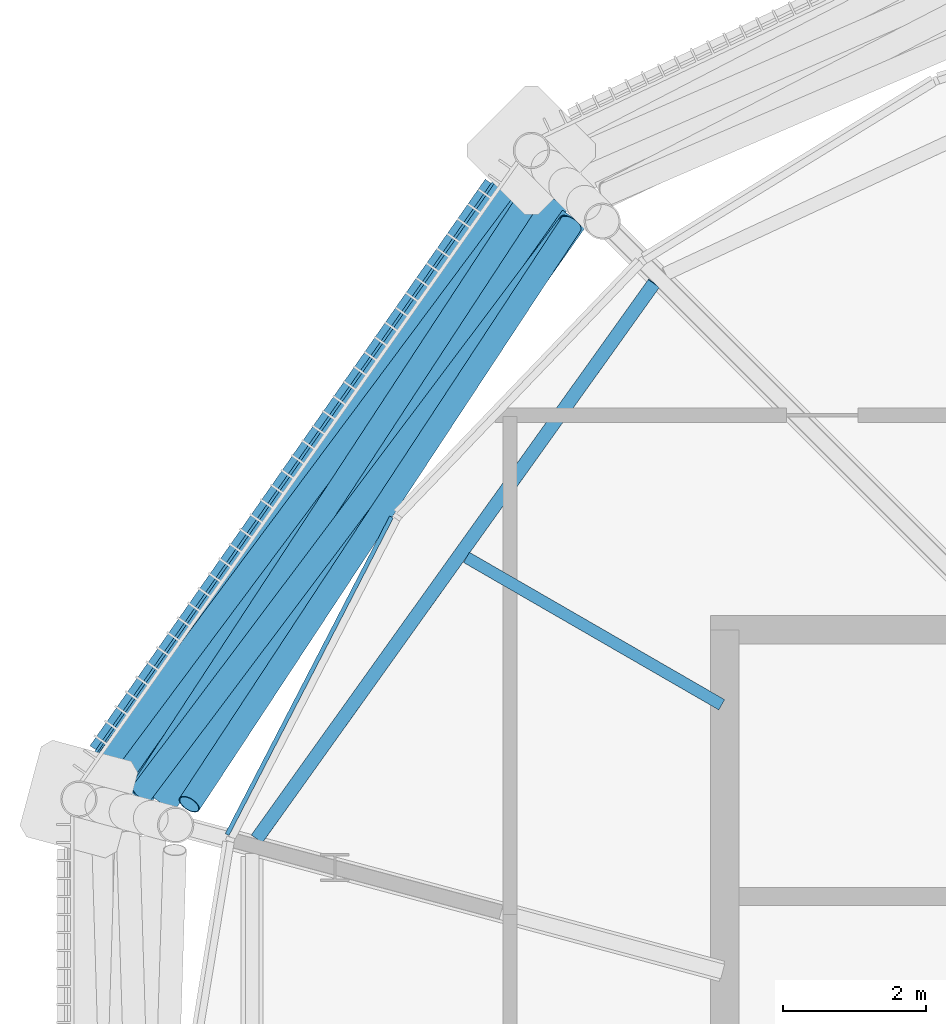
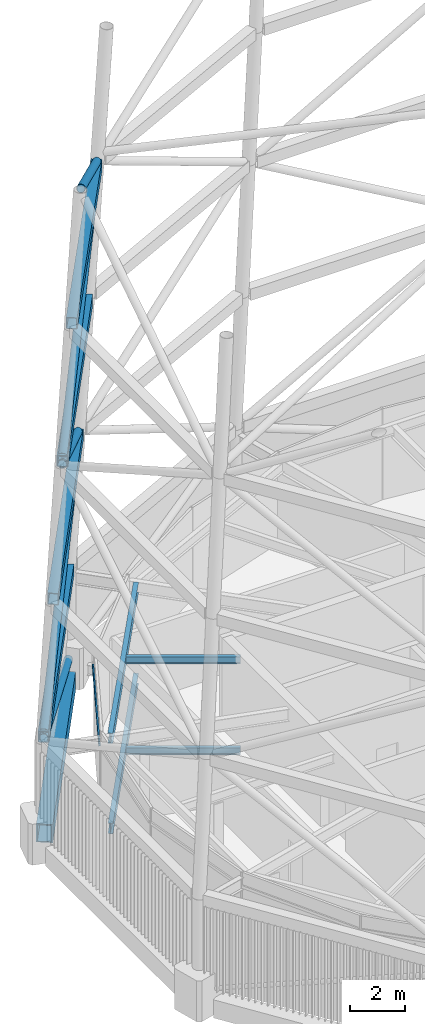
# One storey, part 16 of 71: 9 beams, 6 members, 1 element without a shape of its own.
"""IFC4 building model written with IfcOpenShell, lengths in metres."""

from ifc_helpers import new_model, si_unit, direction, frame, origin, origin_2d, place, context, subcontext, project, spatial, rectangle, hollow_rectangle, hollow_circle, i_section, extrude, material, material_profile, profile_set, type_object, element, aggregate, save


model = new_model("IFC4")

# Units and contexts
model_context = context("Model", 3, precision=1e-05, world=origin(), true_north=direction((0.0, 1.0)))
body_context = subcontext(model_context, "Body", "Model", "MODEL_VIEW")
ifc_project = project(units=[si_unit("LENGTHUNIT", "METRE"), si_unit("AREAUNIT", "SQUARE_METRE"), si_unit("VOLUMEUNIT", "CUBIC_METRE"), si_unit("PLANEANGLEUNIT", "RADIAN"), si_unit("MASSUNIT", "GRAM", prefix="KILO")], contexts=[model_context])

# Site, building, storey
site_placement = place(None, origin())
site = spatial("IfcSite", under=ifc_project, at=site_placement, CompositionType="ELEMENT")
building_placement = place(site_placement, origin())
building = spatial("IfcBuilding", under=site, at=building_placement, Name="Rimbun Link Towers", CompositionType="ELEMENT")
storey_placement = place(building_placement, frame((0.0, 0.0, 267.60009765625)))
storey = spatial("IfcBuildingStorey", under=building, at=storey_placement, Name="L65", CompositionType="ELEMENT", Elevation=267.60009765625)

# Curtain wall, member
ifc_material_1 = material(Name="Aluminium 6063-T6 louvre wall", Category="aluminium")
curtain_wall_type = type_object("IfcCurtainWallType", Name="CW6 plant floor louvre wall", PredefinedType="NOTDEFINED", material=ifc_material_1)
curtain_wall_placement = place(storey_placement, origin())
curtain_wall = element("IfcCurtainWall", 1, at=curtain_wall_placement, inside=storey, type_object=curtain_wall_type, Name="CW6 L65 T1", PredefinedType="NOTDEFINED")
ifc_material_2 = material(Name="Aluminium 6063-T6", Category="aluminium")
ifc_material_profile_1 = material_profile(ifc_material_2, rectangle(XDim=0.06005859375, YDim=0.1201171875, at=origin_2d()), Name="TRANSOM 60X120")
ifc_profile_set_1 = profile_set([ifc_material_profile_1], Name="Aluminium 6063-T6")
member_type_1 = type_object("IfcMemberType", Name="CW6 transom 60X120", PredefinedType="USERDEFINED", material=ifc_profile_set_1)
member_1_placement = place(storey_placement, frame((-50.705322265625, 5.13818359375, 3.39990234375), z_axis=(0.459541205413, 0.888156450479, 0.0), x_axis=(-0.888156450479, 0.459541205413, 0.0)))
member_1 = element("IfcMember", 2, at=member_1_placement, type_object=member_type_1, Name="CW6 transom", ObjectType="TRANSOM", PredefinedType="USERDEFINED", context=body_context, shape_type="SweptSolid", body=[
    extrude(rectangle(XDim=0.06005859375, YDim=0.1201171875, at=origin_2d()), origin(), (0.0, 0.0, 1.0), 4.9970703125),
])
aggregate(curtain_wall, [member_1])

# Members
ifc_material_3 = material(Name="Steel S355J2H", Category="steel")
ifc_material_profile_2 = material_profile(ifc_material_3, hollow_circle(Radius=0.161865234375, WallThickness=0.011962890625, at=origin_2d()), Name="Crown frame brace CHS 324x12")
ifc_profile_set_2 = profile_set([ifc_material_profile_2], Name="Steel S355J2H")
member_type_2 = type_object("IfcMemberType", Name="Crown frame brace CHS 324x12", PredefinedType="BRACE", material=ifc_profile_set_2)
member_2_placement = place(storey_placement, frame((-46.666259765625, 14.392578125, 0.135986328125), z_axis=(-0.53806035531, -0.771194589931, 0.340220455741), x_axis=(0.820118162204, -0.572194197824, 0.0)))
element("IfcMember", 3, at=member_2_placement, inside=storey, type_object=member_type_2, Name="CROWN FRAME brace T1 1-04", PredefinedType="BRACE", context=body_context, shape_type="SweptSolid", body=[
    extrude(hollow_circle(Radius=0.161865234375, WallThickness=0.011962890625, at=origin_2d()), origin(), (0.0, 0.0, 1.0), 10.95703125),
])
member_3_placement = place(storey_placement, frame((-52.567138671875, 5.915771484375, 4.19140625), z_axis=(0.524618118417, 0.703889527023, 0.478868837549), x_axis=(-0.801800186242, 0.597592219949, 0.0)))
element("IfcMember", 4, at=member_3_placement, inside=storey, type_object=member_type_2, Name="CROWN FRAME brace T1 2-04", PredefinedType="BRACE", context=body_context, shape_type="SweptSolid", body=[
    extrude(hollow_circle(Radius=0.161865234375, WallThickness=0.011962890625, at=origin_2d()), origin(), (0.0, 0.0, 1.0), 11.7294921875),
])
member_4_placement = place(storey_placement, frame((-46.39501953125, 14.161376953125, 10.19482421875), z_axis=(-0.478666992145, -0.730556834472, 0.486995505357), x_axis=(0.836447321938, -0.548047331553, 0.0)))
element("IfcMember", 5, at=member_4_placement, inside=storey, type_object=member_type_2, Name="CROWN FRAME brace T1 3-04", PredefinedType="BRACE", context=body_context, shape_type="SweptSolid", body=[
    extrude(hollow_circle(Radius=0.161865234375, WallThickness=0.011962890625, at=origin_2d()), origin(), (0.0, 0.0, 1.0), 11.520263671875),
])
member_5_placement = place(storey_placement, frame((-51.8916015625, 5.7314453125, 16.1962890625), z_axis=(0.523304623767, 0.696327936105, 0.4912022762), x_axis=(-0.799416228212, 0.600777574541, 0.0)))
element("IfcMember", 6, at=member_5_placement, inside=storey, type_object=member_type_2, Name="CROWN FRAME brace T1 4-04", PredefinedType="BRACE", context=body_context, shape_type="SweptSolid", body=[
    extrude(hollow_circle(Radius=0.161865234375, WallThickness=0.011962890625, at=origin_2d()), origin(), (0.0, 0.0, 1.0), 11.415283203125),
])
member_6_placement = place(storey_placement, frame((-45.89892578125, 13.669189453125, 22.19970703125), z_axis=(-0.476134531922, -0.723548449031, 0.499773498113), x_axis=(0.83535568197, -0.549709818542, 0.0)))
element("IfcMember", 7, at=member_6_placement, inside=storey, type_object=member_type_2, Name="CROWN FRAME brace T1 5-04", PredefinedType="BRACE", context=body_context, shape_type="SweptSolid", body=[
    extrude(hollow_circle(Radius=0.161865234375, WallThickness=0.011962890625, at=origin_2d()), origin(), (0.0, 0.0, 1.0), 11.205810546875),
])

# Beams
ifc_material_4 = material(Name="Steel S355J2", Category="steel")
ifc_material_profile_3 = material_profile(ifc_material_4, hollow_rectangle(XDim=0.39990234375, YDim=0.5, WallThickness=0.02001953125, at=origin_2d()), Name="Crown frame ring beam BOX 400x500x20")
ifc_profile_set_3 = profile_set([ifc_material_profile_3], Name="Steel S355J2")
beam_type_1 = type_object("IfcBeamType", Name="Crown frame ring beam BOX 400x500x20", PredefinedType="BEAM", material=ifc_profile_set_3)
beam_1_placement = place(storey_placement, frame((-46.596435546875, 14.492919921875, 4.0), z_axis=(-0.572181596024, -0.820126954301, 0.0), x_axis=(0.820126954301, -0.572181596024, 0.0)))
element("IfcBeam", 8, at=beam_1_placement, inside=storey, type_object=beam_type_1, Name="CROWN FRAME ring beam T1 1-04", PredefinedType="BEAM", context=body_context, shape_type="SweptSolid", body=[
    extrude(hollow_rectangle(XDim=0.39990234375, YDim=0.5, WallThickness=0.02001953125, at=origin_2d()), origin(), (0.0, 0.0, 1.0), 10.547607421875),
])
beam_2_placement = place(storey_placement, frame((-46.34912109375, 14.24560546875, 10.0), z_axis=(-0.573356446444, -0.819306038865, 0.0), x_axis=(0.819306038865, -0.573356446444, 0.0)))
element("IfcBeam", 9, at=beam_2_placement, inside=storey, type_object=beam_type_1, Name="CROWN FRAME ring beam T1 2-04", PredefinedType="BEAM", context=body_context, shape_type="SweptSolid", body=[
    extrude(hollow_rectangle(XDim=0.39990234375, YDim=0.5, WallThickness=0.02001953125, at=origin_2d()), origin(), (0.0, 0.0, 1.0), 10.3671875),
])
beam_3_placement = place(storey_placement, frame((-46.10205078125, 13.998291015625, 16.0), z_axis=(-0.574571673852, -0.81845426971, 0.0), x_axis=(0.81845426971, -0.574571673852, 0.0)))
element("IfcBeam", 10, at=beam_3_placement, inside=storey, type_object=beam_type_1, Name="CROWN FRAME ring beam T1 3-04", PredefinedType="BEAM", context=body_context, shape_type="SweptSolid", body=[
    extrude(hollow_rectangle(XDim=0.39990234375, YDim=0.5, WallThickness=0.02001953125, at=origin_2d()), origin(), (0.0, 0.0, 1.0), 10.186767578125),
])
beam_4_placement = place(storey_placement, frame((-45.85498046875, 13.7509765625, 22.0), z_axis=(-0.575796767289, -0.817592858811, 0.0), x_axis=(0.817592858811, -0.575796767289, 0.0)))
element("IfcBeam", 11, at=beam_4_placement, inside=storey, type_object=beam_type_1, Name="CROWN FRAME ring beam T1 4-04", PredefinedType="BEAM", context=body_context, shape_type="SweptSolid", body=[
    extrude(hollow_rectangle(XDim=0.39990234375, YDim=0.5, WallThickness=0.02001953125, at=origin_2d()), origin(), (0.0, 0.0, 1.0), 10.006103515625),
])
ifc_material_5 = material(Name="Steel S355J2", Category="steel")
ifc_material_profile_4 = material_profile(ifc_material_5, hollow_rectangle(XDim=0.60009765625, YDim=0.800048828125, WallThickness=0.0400390625, at=origin_2d()), Name="Exoskeleton ring girder BOX 600x800x40")
ifc_profile_set_4 = profile_set([ifc_material_profile_4], Name="Steel S355J2")
beam_type_2 = type_object("IfcBeamType", Name="Exoskeleton ring girder BOX 600x800x40", PredefinedType="BEAM", material=ifc_profile_set_4)
beam_5_placement = place(storey_placement, frame((-46.8515625, 14.126953125, -0.56005859375), z_axis=(-0.57219741623, -0.820115916722, 0.0), x_axis=(0.820115916722, -0.57219741623, 0.0)))
element("IfcBeam", 12, at=beam_5_placement, inside=storey, type_object=beam_type_2, Name="Exoskeleton ring girder L65 04", PredefinedType="BEAM", context=body_context, shape_type="SweptSolid", body=[
    extrude(hollow_rectangle(XDim=0.60009765625, YDim=0.800048828125, WallThickness=0.0400390625, at=origin_2d()), origin(), (0.0, 0.0, 1.0), 9.655517578125),
])
ifc_material_6 = material(Name="Steel S355J2", Category="steel")
ifc_material_profile_5 = material_profile(ifc_material_6, i_section(OverallWidth=0.1650390625, OverallDepth=0.303466796875, WebThickness=0.006103515625, FlangeThickness=0.01025390625, at=origin_2d()), Name="UB 305x165x40")
ifc_profile_set_5 = profile_set([ifc_material_profile_5], Name="Steel S355J2")
beam_type_3 = type_object("IfcBeamType", Name="UB 305x165x40", PredefinedType="BEAM", material=ifc_profile_set_5)
for number, where, z_axis, x_axis, name in (
    (13, (-43.7919921875, 6.952392578125, -0.351806640625), (-0.866009926209, 0.50002680699, 0.0), (-0.50002680699, -0.866009926209, 0.0), "Radial beam T1 L65 10"),
    (14, (-43.7919921875, 6.952392578125, 3.648193359375), (-0.866009926209, 0.50002680699, 0.0), (-0.50002680699, -0.866009926209, 0.0), "Radial beam T1 L65 10"),
):
    element("IfcBeam", number, at=place(storey_placement, frame(where, z_axis=z_axis, x_axis=x_axis)), inside=storey, type_object=beam_type_3, Name=name, PredefinedType="BEAM", context=body_context, shape_type="SweptSolid", body=[
        extrude(i_section(OverallWidth=0.1650390625, OverallDepth=0.303466796875, WebThickness=0.006103515625, FlangeThickness=0.01025390625, at=origin_2d()), origin(), (0.0, 0.0, 1.0), 4.119873046875),
    ])
ifc_material_7 = material(Name="Steel S355J2", Category="steel")
ifc_material_profile_6 = material_profile(ifc_material_7, i_section(OverallWidth=0.18994140625, OverallDepth=0.453369140625, WebThickness=0.008544921875, FlangeThickness=0.0126953125, at=origin_2d()), Name="UB 457x191x67")
ifc_profile_set_6 = profile_set([ifc_material_profile_6], Name="Steel S355J2")
beam_type_4 = type_object("IfcBeamType", Name="UB 457x191x67", PredefinedType="BEAM", material=ifc_profile_set_6)
beam_6_placement = place(storey_placement, frame((-44.73486328125, 12.84912109375, -0.4267578125), z_axis=(-0.58156358037, -0.813500953894, 0.0), x_axis=(0.813500953894, -0.58156358037, 0.0)))
element("IfcBeam", 15, at=beam_6_placement, inside=storey, type_object=beam_type_4, Name="Edge beam T1 L65 09-11", PredefinedType="BEAM", context=body_context, shape_type="SweptSolid", body=[
    extrude(i_section(OverallWidth=0.18994140625, OverallDepth=0.453369140625, WebThickness=0.008544921875, FlangeThickness=0.0126953125, at=origin_2d()), origin(), (0.0, 0.0, 1.0), 9.50927734375),
])
beam_7_placement = place(storey_placement, frame((-44.740478515625, 12.84130859375, 3.5732421875), z_axis=(-0.581576914607, -0.813491421219, 0.0), x_axis=(0.813491421219, -0.581576914607, 0.0)))
element("IfcBeam", 16, at=beam_7_placement, inside=storey, type_object=beam_type_4, Name="Edge beam T1 L65 09-11", PredefinedType="BEAM", context=body_context, shape_type="SweptSolid", body=[
    extrude(i_section(OverallWidth=0.18994140625, OverallDepth=0.453369140625, WebThickness=0.008544921875, FlangeThickness=0.0126953125, at=origin_2d()), origin(), (0.0, 0.0, 1.0), 9.5439453125),
])

save(model, "model.ifc")
